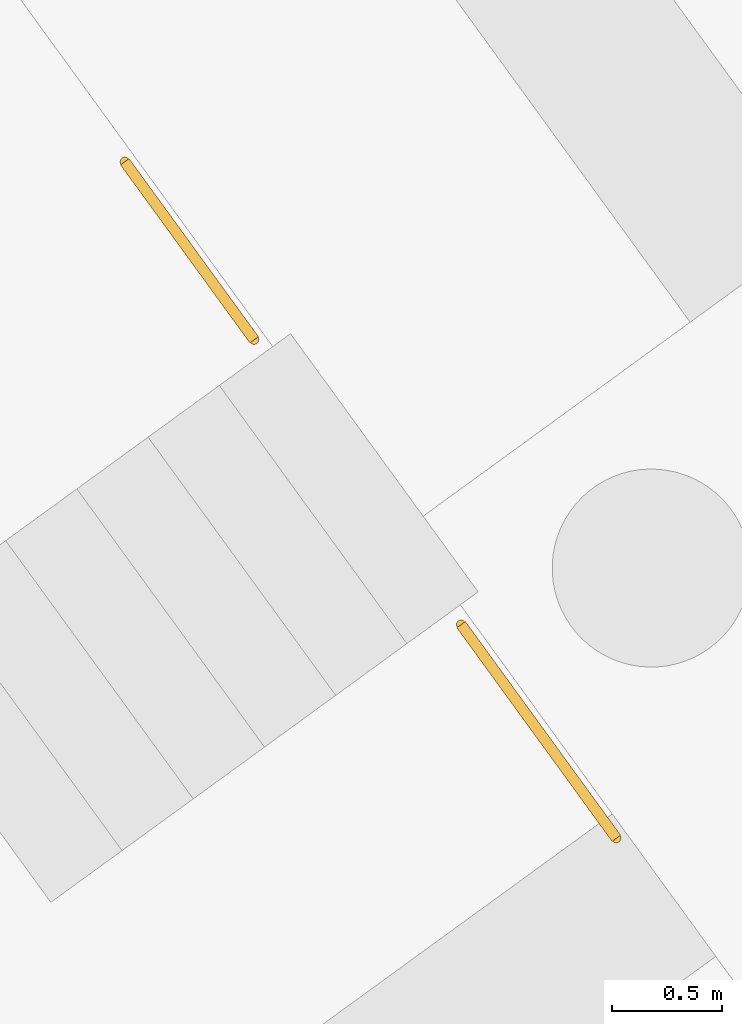
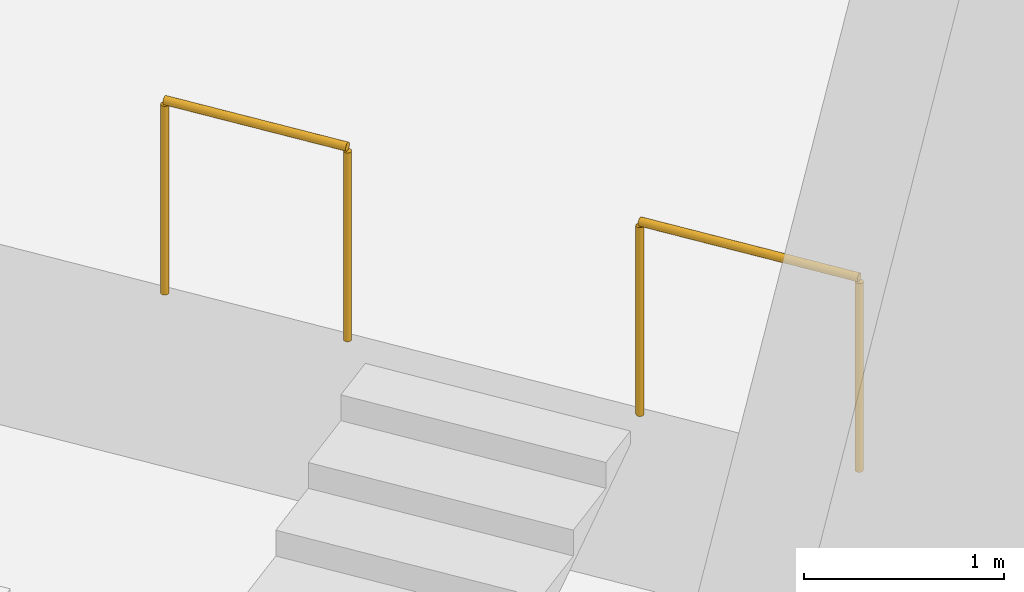
# One storey, part 237 of 239: 2 railings.
"""IFC4 building model written with IfcOpenShell, lengths in metres."""

from ifc_helpers import new_model, si_unit, direction, frame, origin, origin_2d, place, context, subcontext, project, spatial, circle, extrude, material, type_object, element, save


model = new_model("IFC4")

# Units and contexts
model_context = context("Model", 3, precision=1e-05, world=origin(), true_north=direction((0.0, 1.0)))
body_context = subcontext(model_context, "Body", "Model", "MODEL_VIEW")
ifc_project = project(units=[si_unit("LENGTHUNIT", "METRE"), si_unit("AREAUNIT", "SQUARE_METRE"), si_unit("VOLUMEUNIT", "CUBIC_METRE"), si_unit("PLANEANGLEUNIT", "RADIAN"), si_unit("MASSUNIT", "GRAM", prefix="KILO")], contexts=[model_context])

# Site, building, storey
site_placement = place(None, origin())
site = spatial("IfcSite", under=ifc_project, at=site_placement, CompositionType="ELEMENT")
building_placement = place(site_placement, origin())
building = spatial("IfcBuilding", under=site, at=building_placement, Name="Okhra Congress Centre", CompositionType="ELEMENT")
storey_placement = place(building_placement, origin())
storey = spatial("IfcBuildingStorey", under=building, at=storey_placement, Name="L00", CompositionType="ELEMENT", Elevation=0.0)

# Railings
ifc_material = material(Name="Painted steel tube guard with vertical steel balusters", Category="steel")
railing_type = type_object("IfcRailingType", Name="Steel guard 1200", PredefinedType="GUARDRAIL", material=ifc_material)
railing_1_placement = place(storey_placement, frame((266.78076171875, 186.801025390625, 1.10009765625)))
element("IfcRailing", 1, at=railing_1_placement, inside=storey, type_object=railing_type, Name="Stage edge guard", PredefinedType="GUARDRAIL", context=body_context, shape_type="SweptSolid", body=[
    extrude(circle(Radius=0.02392578125, at=origin_2d()), frame((0.0, 0.0, 1.17578125), z_axis=(-0.587823287746, 0.808989358634, 0.0), x_axis=(-0.808989358634, -0.587823287746, 0.0)), (0.0, 0.0, 1.0), 1.0),
    extrude(circle(Radius=0.02099609375, at=origin_2d()), origin(), (0.0, 0.0, 1.0), 1.15185546875),
    extrude(circle(Radius=0.02099609375, at=origin_2d()), frame((-0.587890625, 0.80908203125, 0.0)), (0.0, 0.0, 1.0), 1.15185546875),
])
railing_2_placement = place(storey_placement, frame((267.72119140625, 185.506591796875, 1.10009765625)))
element("IfcRailing", 2, at=railing_2_placement, inside=storey, type_object=railing_type, Name="Stage edge guard", PredefinedType="GUARDRAIL", context=body_context, shape_type="SweptSolid", body=[
    extrude(circle(Radius=0.02392578125, at=origin_2d()), frame((0.0, 0.0, 1.17578125), z_axis=(0.587820796465, -0.808991168829, 0.0), x_axis=(0.808991168829, 0.587820796465, 0.0)), (0.0, 0.0, 1.0), 1.199951171875),
    extrude(circle(Radius=0.02099609375, at=origin_2d()), origin(), (0.0, 0.0, 1.0), 1.15185546875),
    extrude(circle(Radius=0.02099609375, at=origin_2d()), frame((0.705322265625, -0.970703125, 0.0)), (0.0, 0.0, 1.0), 1.15185546875),
])

save(model, "model.ifc")
